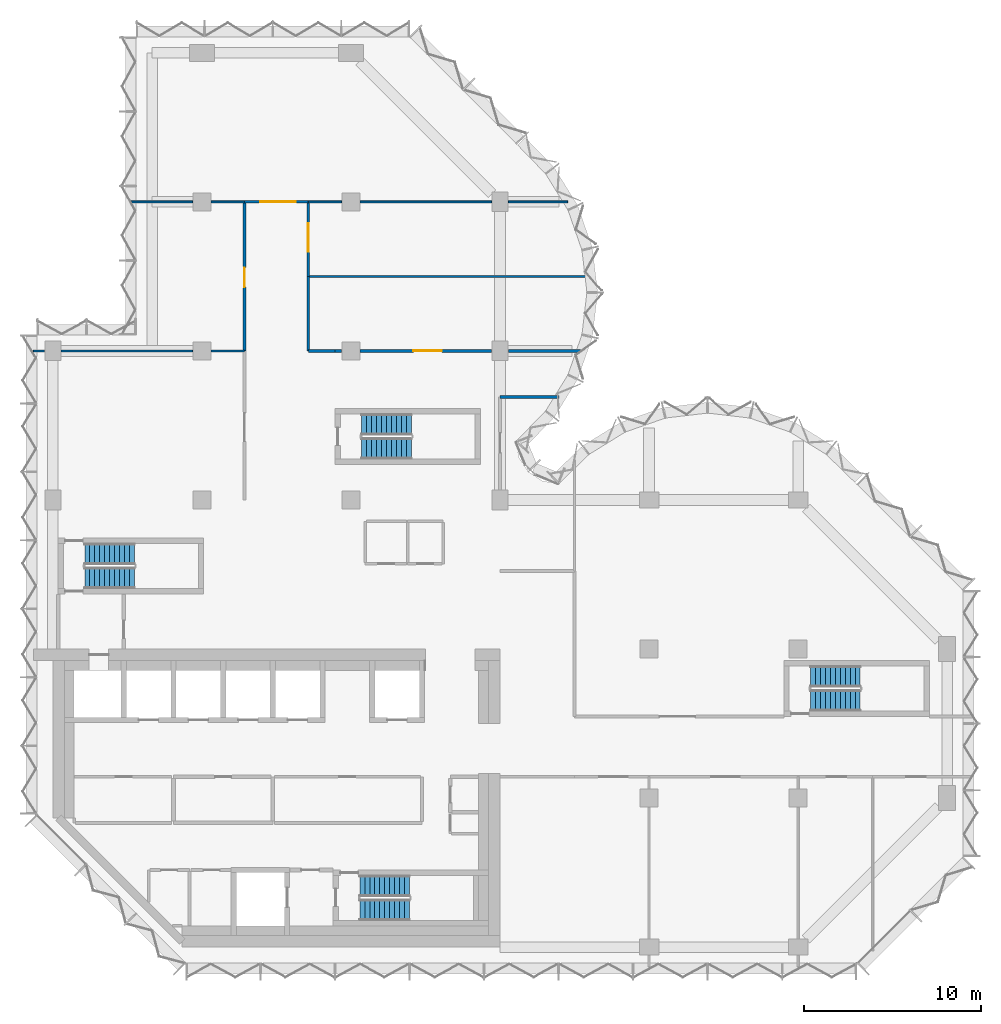
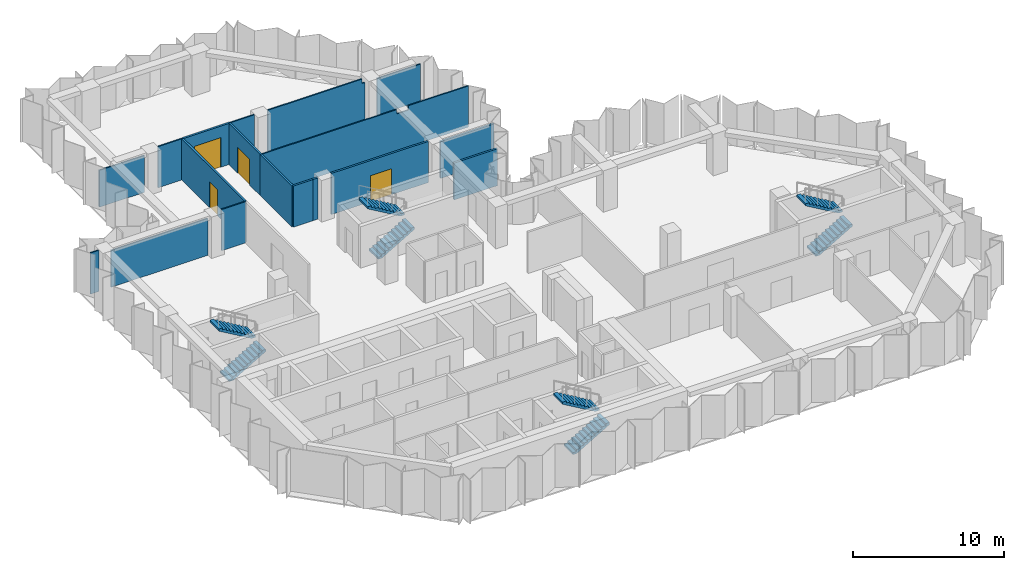
# One storey, part 7 of 9: 18 walls, 8 stair flights, 4 doors, 4 openings, 4 elements without a shape of their own.
"""IFC4 building model written with IfcOpenShell, lengths in metres."""

from ifc_helpers import new_model, si_unit, direction, frame, frame_2d, origin, place, context, subcontext, project, spatial, polyline, rectangle, outline, extrude, material, layer, layer_set, type_object, element, fill, aggregate, save


model = new_model("IFC4")

# Units and contexts
model_context = context("Model", 3, precision=1e-05, world=origin(), true_north=direction((0.0, 1.0)))
body_context = subcontext(model_context, "Body", "Model", "MODEL_VIEW")
ifc_project = project(units=[si_unit("LENGTHUNIT", "METRE"), si_unit("AREAUNIT", "SQUARE_METRE"), si_unit("VOLUMEUNIT", "CUBIC_METRE"), si_unit("PLANEANGLEUNIT", "RADIAN"), si_unit("MASSUNIT", "GRAM", prefix="KILO")], contexts=[model_context])

# Site, building, storey
site_placement = place(None, origin())
site = spatial("IfcSite", under=ifc_project, at=site_placement, CompositionType="ELEMENT")
building_placement = place(site_placement, origin())
building = spatial("IfcBuilding", under=site, at=building_placement, Name="Brevane Broadcast Tower", CompositionType="ELEMENT")
storey_placement = place(building_placement, frame((0.0, 0.0, 192.0)))
storey = spatial("IfcBuildingStorey", under=building, at=storey_placement, Name="L48", CompositionType="ELEMENT", Elevation=192.0)

# Walls
ifc_material_1 = material(Name="Gypsum board partition")
ifc_layer_1 = layer(ifc_material_1, 0.10009765625)
ifc_layer_set_1 = layer_set([ifc_layer_1], Name="PARTITION 100 STUD")
wall_type_1 = type_object("IfcWallType", Name="PARTITION 100 STUD", PredefinedType="PARTITIONING", material=ifc_layer_set_1)
wall_1_placement = place(storey_placement, frame((10.800048828125, 42.0, 0.0), z_axis=(0.0, 0.0, 1.0), x_axis=(-1.0, 0.0, 0.0)))
element("IfcWall", 1, at=wall_1_placement, inside=storey, type_object=wall_type_1, Name="Partition G14-029", PredefinedType="PARTITIONING", context=body_context, shape_type="SweptSolid", body=[
    extrude(rectangle(XDim=1.880126953125, YDim=0.10009765625, at=frame_2d((0.93994140625, 0.0))), origin(), (0.0, 0.0, 1.0), 3.330078125),
])
wall_2_placement = place(storey_placement, frame((7.8798828125, 42.0, 0.0), z_axis=(0.0, 0.0, 1.0), x_axis=(-1.0, 0.0, 0.0)))
element("IfcWall", 2, at=wall_2_placement, inside=storey, type_object=wall_type_1, Name="Partition G14-030", PredefinedType="PARTITIONING", context=body_context, shape_type="SweptSolid", body=[
    extrude(rectangle(XDim=3.453857421875, YDim=0.10009765625, at=frame_2d((1.72705078125, 0.0))), origin(), (0.0, 0.0, 1.0), 2.97998046875),
])
wall_3_placement = place(storey_placement, frame((29.011474609375, 42.0, 0.0), z_axis=(0.0, 0.0, 1.0), x_axis=(-1.0, 0.0, 0.0)))
element("IfcWall", 3, at=wall_3_placement, inside=storey, type_object=wall_type_1, Name="Partition G14-031", PredefinedType="PARTITIONING", context=body_context, shape_type="SweptSolid", body=[
    extrude(rectangle(XDim=3.341552734375, YDim=0.10009765625, at=frame_2d((1.6708984375, 0.0))), origin(), (0.0, 0.0, 1.0), 2.97998046875),
])
wall_4_placement = place(storey_placement, frame((24.72998046875, 42.0, 0.0), z_axis=(0.0, 0.0, 1.0), x_axis=(-1.0, 0.0, 0.0)))
element("IfcWall", 4, at=wall_4_placement, inside=storey, type_object=wall_type_1, Name="Partition G14-032", PredefinedType="PARTITIONING", context=body_context, shape_type="SweptSolid", body=[
    extrude(outline(polyline([(0.0, 0.0), (7.409912109375, 0.0), (7.409912109375, 3.330078125), (0.19580078125, 3.330078125), (0.193603515625, 2.97998046875), (0.0, 2.97998046875), (0.0, 0.0)])), frame((0.0, 0.050048828125, 0.0), z_axis=(0.0, -1.0, 0.0), x_axis=(1.0, 0.0, 0.0)), (0.0, 0.0, 1.0), 0.10009765625),
])
wall_5_placement = place(storey_placement, frame((16.280029296875, 42.0, 0.0), z_axis=(0.0, 0.0, 1.0), x_axis=(-1.0, 0.0, 0.0)))
element("IfcWall", 5, at=wall_5_placement, inside=storey, type_object=wall_type_1, Name="Partition G14-033", PredefinedType="PARTITIONING", context=body_context, shape_type="SweptSolid", body=[
    extrude(rectangle(XDim=1.880126953125, YDim=0.10009765625, at=frame_2d((0.93994140625, 0.0))), origin(), (0.0, 0.0, 1.0), 3.330078125),
])
wall_6_placement = place(storey_placement, frame((-1.10009765625, 33.60009765625, 0.0), z_axis=(0.0, 0.0, 1.0), x_axis=(1.0, 0.0, 0.0)))
element("IfcWall", 6, at=wall_6_placement, inside=storey, type_object=wall_type_1, Name="Partition G14-034", PredefinedType="PARTITIONING", context=body_context, shape_type="SweptSolid", body=[
    extrude(rectangle(XDim=0.630126953125, YDim=0.10009765625, at=frame_2d((0.31494140625, 0.0))), origin(), (0.0, 0.0, 1.0), 3.330078125),
])
wall_7_placement = place(storey_placement, frame((0.469970703125, 33.60009765625, 0.0), z_axis=(0.0, 0.0, 1.0), x_axis=(1.0, 0.0, 0.0)))
element("IfcWall", 7, at=wall_7_placement, inside=storey, type_object=wall_type_1, Name="Partition G14-035", PredefinedType="PARTITIONING", context=body_context, shape_type="SweptSolid", body=[
    extrude(outline(polyline([(0.0, 0.0), (7.409912109375, 0.0), (7.409912109375, 2.97998046875), (0.0, 2.97998046875), (0.0, 0.0)])), frame((0.0, 0.050048828125, 0.0), z_axis=(0.0, -1.0, 0.0), x_axis=(1.0, 0.0, 0.0)), (0.0, 0.0, 1.0), 0.10009765625),
])
wall_8_placement = place(storey_placement, frame((8.919921875, 33.60009765625, 0.0), z_axis=(0.0, 0.0, 1.0), x_axis=(1.0, 0.0, 0.0)))
element("IfcWall", 8, at=wall_8_placement, inside=storey, type_object=wall_type_1, Name="Partition G14-036", PredefinedType="PARTITIONING", context=body_context, shape_type="SweptSolid", body=[
    extrude(rectangle(XDim=1.880126953125, YDim=0.10009765625, at=frame_2d((0.93994140625, 0.0))), origin(), (0.0, 0.0, 1.0), 3.330078125),
])
wall_9_placement = place(storey_placement, frame((14.39990234375, 37.800048828125, 0.0), z_axis=(0.0, 0.0, 1.0), x_axis=(1.0, 0.0, 0.0)))
element("IfcWall", 9, at=wall_9_placement, inside=storey, type_object=wall_type_1, Name="Partition G14-037", PredefinedType="PARTITIONING", context=body_context, shape_type="SweptSolid", body=[
    extrude(outline(polyline([(0.0, 0.0), (15.8427734375, 0.0), (15.8427734375, 3.330078125), (11.25, 3.330078125), (11.248046875, 2.97998046875), (10.35205078125, 2.97998046875), (10.35009765625, 3.330078125), (0.0, 3.330078125), (0.0, 0.0)])), frame((0.0, 0.050048828125, 0.0), z_axis=(0.0, -1.0, 0.0), x_axis=(1.0, 0.0, 0.0)), (0.0, 0.0, 1.0), 0.10009765625),
])
ifc_layer_2 = layer(ifc_material_1, 0.14990234375)
ifc_layer_set_2 = layer_set([ifc_layer_2], Name="PARTITION 150 EI 60")
wall_type_2 = type_object("IfcWallType", Name="PARTITION 150 EI 60", PredefinedType="PARTITIONING", material=ifc_layer_set_2)
wall_10_placement = place(storey_placement, frame((25.199951171875, 31.0, 0.0), z_axis=(0.0, 0.0, 1.0), x_axis=(1.0, 0.0, 0.0)))
element("IfcWall", 10, at=wall_10_placement, inside=storey, type_object=wall_type_2, Name="Partition G14-006", PredefinedType="PARTITIONING", context=body_context, shape_type="SweptSolid", body=[
    extrude(rectangle(XDim=3.32421875, YDim=0.14990234375, at=frame_2d((1.662109375, 0.0))), origin(), (0.0, 0.0, 1.0), 2.97998046875),
])
wall_11_placement = place(storey_placement, frame((14.39990234375, 33.60009765625, 0.0), z_axis=(0.0, 0.0, 1.0), x_axis=(1.0, 0.0, 0.0)))
element("IfcWall", 11, at=wall_11_placement, inside=storey, type_object=wall_type_2, Name="Partition G14-021", PredefinedType="PARTITIONING", context=body_context, shape_type="SweptSolid", body=[
    extrude(rectangle(XDim=1.5, YDim=0.14990234375, at=frame_2d((0.75, 0.0))), origin(), (0.0, 0.0, 1.0), 3.330078125),
])
wall_12_placement = place(storey_placement, frame((15.89990234375, 33.60009765625, 0.0), z_axis=(0.0, 0.0, 1.0), x_axis=(1.0, 0.0, 0.0)))
element("IfcWall", 12, at=wall_12_placement, inside=storey, type_object=wall_type_2, Name="Partition G14-022", PredefinedType="PARTITIONING", context=body_context, shape_type="SweptSolid", body=[
    extrude(rectangle(XDim=0.380126953125, YDim=0.14990234375, at=frame_2d((0.18994140625, 0.0))), origin(), (0.0, 0.0, 1.0), 3.330078125),
])

# Wall, opening, door
wall_13_placement = place(storey_placement, frame((17.320068359375, 33.60009765625, 0.0), z_axis=(0.0, 0.0, 1.0), x_axis=(1.0, 0.0, 0.0)))
wall_13 = element("IfcWall", 13, at=wall_13_placement, inside=storey, type_object=wall_type_2, Name="Partition G14-023", PredefinedType="PARTITIONING", context=body_context, shape_type="SweptSolid", body=[
    extrude(rectangle(XDim=7.409912109375, YDim=0.14990234375, at=frame_2d((3.705078125, 0.0))), origin(), (0.0, 0.0, 1.0), 3.330078125),
])
opening_1_placement = place(wall_13_placement, frame((3.0, 0.0, 0.0)))
opening_1 = element("IfcOpeningElement", 14, at=opening_1_placement, cuts=wall_13, Name="Opening D23-010", PredefinedType="OPENING", context=body_context, shape_type="SweptSolid", body=[
    extrude(rectangle(XDim=1.60009765625, YDim=2.10009765625, at=frame_2d((0.800048828125, 1.050048828125))), frame((0.0, 0.0849609375, 0.0), z_axis=(0.0, -1.0, 0.0), x_axis=(1.0, 0.0, 0.0)), (0.0, 0.0, 1.0), 0.169921875),
])
ifc_material_2 = material(Name="Fire-rated timber door leaf", Category="wood")
door_type_1 = type_object("IfcDoorType", Name="DOOR DOUBLE 1600 FD30S", OperationType="DOUBLE_DOOR_SINGLE_SWING", PredefinedType="DOOR", material=ifc_material_2)
door_1_placement = place(opening_1_placement, origin())
door_1 = element("IfcDoor", 15, at=door_1_placement, inside=storey, type_object=door_type_1, Name="Door D23-010", OperationType="DOUBLE_DOOR_SINGLE_SWING", OverallHeight=2.10009765625, OverallWidth=1.60009765625, PredefinedType="DOOR", context=body_context, shape_type="SweptSolid", body=[
    extrude(rectangle(XDim=1.60009765625, YDim=2.10009765625, at=frame_2d((0.800048828125, 1.050048828125))), frame((0.0, 0.02490234375, 0.0), z_axis=(0.0, -1.0, 0.0), x_axis=(1.0, 0.0, 0.0)), (0.0, 0.0, 1.0), 0.050048828125),
])
fill(opening_1, door_1)

# Wall
wall_14_placement = place(storey_placement, frame((25.669921875, 33.60009765625, 0.0), z_axis=(0.0, 0.0, 1.0), x_axis=(1.0, 0.0, 0.0)))
element("IfcWall", 16, at=wall_14_placement, inside=storey, type_object=wall_type_2, Name="Partition G14-024", PredefinedType="PARTITIONING", context=body_context, shape_type="SweptSolid", body=[
    extrude(rectangle(XDim=4.092041015625, YDim=0.14990234375, at=frame_2d((2.0458984375, 0.0))), origin(), (0.0, 0.0, 1.0), 2.97998046875),
])

# Wall, opening, door
wall_15_placement = place(storey_placement, frame((10.800048828125, 42.0, 0.0), z_axis=(0.0, 0.0, 1.0), x_axis=(1.0, 0.0, 0.0)))
wall_15 = element("IfcWall", 17, at=wall_15_placement, inside=storey, type_object=wall_type_2, Name="Partition G14-025", PredefinedType="PARTITIONING", context=body_context, shape_type="SweptSolid", body=[
    extrude(rectangle(XDim=3.599853515625, YDim=0.14990234375, at=frame_2d((1.7998046875, 0.0))), origin(), (0.0, 0.0, 1.0), 3.330078125),
])
opening_2_placement = place(wall_15_placement, frame((0.89990234375, 0.0, 0.0)))
opening_2 = element("IfcOpeningElement", 18, at=opening_2_placement, cuts=wall_15, Name="Opening D23-007", PredefinedType="OPENING", context=body_context, shape_type="SweptSolid", body=[
    extrude(rectangle(XDim=2.0, YDim=2.39990234375, at=frame_2d((1.0, 1.199951171875))), frame((0.0, 0.0849609375, 0.0), z_axis=(0.0, -1.0, 0.0), x_axis=(1.0, 0.0, 0.0)), (0.0, 0.0, 1.0), 0.169921875),
])
door_type_2 = type_object("IfcDoorType", Name="DOOR DOUBLE 2000 FD30S", OperationType="DOUBLE_DOOR_SINGLE_SWING", PredefinedType="DOOR", material=ifc_material_2)
door_2_placement = place(opening_2_placement, origin())
door_2 = element("IfcDoor", 19, at=door_2_placement, inside=storey, type_object=door_type_2, Name="Door D23-007", OperationType="DOUBLE_DOOR_SINGLE_SWING", OverallHeight=2.39990234375, OverallWidth=2.0, PredefinedType="DOOR", context=body_context, shape_type="SweptSolid", body=[
    extrude(rectangle(XDim=2.0, YDim=2.39990234375, at=frame_2d((1.0, 1.199951171875))), frame((0.0, 0.02490234375, 0.0), z_axis=(0.0, -1.0, 0.0), x_axis=(1.0, 0.0, 0.0)), (0.0, 0.0, 1.0), 0.050048828125),
])
fill(opening_2, door_2)

wall_16_placement = place(storey_placement, frame((10.800048828125, 33.60009765625, 0.0), z_axis=(0.0, 0.0, 1.0), x_axis=(0.0, 1.0, 0.0)))
wall_16 = element("IfcWall", 20, at=wall_16_placement, inside=storey, type_object=wall_type_2, Name="Partition G14-026", PredefinedType="PARTITIONING", context=body_context, shape_type="SweptSolid", body=[
    extrude(rectangle(XDim=8.39990234375, YDim=0.14990234375, at=frame_2d((4.199951171875, 0.0))), origin(), (0.0, 0.0, 1.0), 3.330078125),
])
opening_3_placement = place(wall_16_placement, frame((3.60009765625, 0.0, 0.0)))
opening_3 = element("IfcOpeningElement", 21, at=opening_3_placement, cuts=wall_16, Name="Opening D23-009", PredefinedType="OPENING", context=body_context, shape_type="SweptSolid", body=[
    extrude(rectangle(XDim=1.10009765625, YDim=2.10009765625, at=frame_2d((0.550048828125, 1.050048828125))), frame((0.0, 0.0849609375, 0.0), z_axis=(0.0, -1.0, 0.0), x_axis=(1.0, 0.0, 0.0)), (0.0, 0.0, 1.0), 0.169921875),
])
door_type_3 = type_object("IfcDoorType", Name="DOOR SINGLE 1100 FD30S", OperationType="SINGLE_SWING_LEFT", PredefinedType="DOOR", material=ifc_material_2)
door_3_placement = place(opening_3_placement, origin())
door_3 = element("IfcDoor", 22, at=door_3_placement, inside=storey, type_object=door_type_3, Name="Door D23-009", OperationType="SINGLE_SWING_LEFT", OverallHeight=2.10009765625, OverallWidth=1.10009765625, PredefinedType="DOOR", context=body_context, shape_type="SweptSolid", body=[
    extrude(rectangle(XDim=1.10009765625, YDim=2.10009765625, at=frame_2d((0.550048828125, 1.050048828125))), frame((0.0, 0.02490234375, 0.0), z_axis=(0.0, -1.0, 0.0), x_axis=(1.0, 0.0, 0.0)), (0.0, 0.0, 1.0), 0.050048828125),
])
fill(opening_3, door_3)

# Wall
wall_17_placement = place(storey_placement, frame((14.39990234375, 37.800048828125, 0.0), z_axis=(0.0, 0.0, 1.0), x_axis=(0.0, -1.0, 0.0)))
element("IfcWall", 23, at=wall_17_placement, inside=storey, type_object=wall_type_2, Name="Partition G14-027", PredefinedType="PARTITIONING", context=body_context, shape_type="SweptSolid", body=[
    extrude(rectangle(XDim=4.199951171875, YDim=0.14990234375, at=frame_2d((2.10009765625, 0.0))), origin(), (0.0, 0.0, 1.0), 3.330078125),
])

# Wall, opening, door
wall_18_placement = place(storey_placement, frame((14.39990234375, 42.0, 0.0), z_axis=(0.0, 0.0, 1.0), x_axis=(0.0, -1.0, 0.0)))
wall_18 = element("IfcWall", 24, at=wall_18_placement, inside=storey, type_object=wall_type_2, Name="Partition G14-028", PredefinedType="PARTITIONING", context=body_context, shape_type="SweptSolid", body=[
    extrude(rectangle(XDim=4.199951171875, YDim=0.14990234375, at=frame_2d((2.10009765625, 0.0))), origin(), (0.0, 0.0, 1.0), 3.330078125),
])
opening_4_placement = place(wall_18_placement, frame((1.199951171875, 0.0, 0.0)))
opening_4 = element("IfcOpeningElement", 25, at=opening_4_placement, cuts=wall_18, Name="Opening D23-011", PredefinedType="OPENING", context=body_context, shape_type="SweptSolid", body=[
    extrude(rectangle(XDim=1.60009765625, YDim=2.10009765625, at=frame_2d((0.800048828125, 1.050048828125))), frame((0.0, 0.0849609375, 0.0), z_axis=(0.0, -1.0, 0.0), x_axis=(1.0, 0.0, 0.0)), (0.0, 0.0, 1.0), 0.169921875),
])
door_4_placement = place(opening_4_placement, origin())
door_4 = element("IfcDoor", 26, at=door_4_placement, inside=storey, type_object=door_type_1, Name="Door D23-011", OperationType="DOUBLE_DOOR_SINGLE_SWING", OverallHeight=2.10009765625, OverallWidth=1.60009765625, PredefinedType="DOOR", context=body_context, shape_type="SweptSolid", body=[
    extrude(rectangle(XDim=1.60009765625, YDim=2.10009765625, at=frame_2d((0.800048828125, 1.050048828125))), frame((0.0, 0.02490234375, 0.0), z_axis=(0.0, -1.0, 0.0), x_axis=(1.0, 0.0, 0.0)), (0.0, 0.0, 1.0), 0.050048828125),
])
fill(opening_4, door_4)

# Stair, stair flights
ifc_material_3 = material(Name="Concrete C50/60", Category="concrete")
stair_type = type_object("IfcStairType", Name="Exit stair 22 risers", PredefinedType="HALF_TURN_STAIR", material=ifc_material_3)
stair_1_placement = place(storey_placement, origin())
stair_1 = element("IfcStair", 27, at=stair_1_placement, inside=storey, type_object=stair_type, Name="L48 Exit stair ST-1", PredefinedType="HALF_TURN_STAIR")
stair_flight_type = type_object("IfcStairFlightType", Name="Exit stair flight 22 risers", PredefinedType="STRAIGHT", material=ifc_material_3)
stair_flight_1_placement = place(storey_placement, frame((1.800048828125, 20.800048828125, 0.0), z_axis=(0.0, 0.0, 1.0), x_axis=(1.0, 0.0, 0.0)))
stair_flight_1 = element("IfcStairFlight", 28, at=stair_flight_1_placement, type_object=stair_flight_type, Name="ST-1 flight 1", NumberOfRisers=11, NumberOfTreads=10, PredefinedType="STRAIGHT", RiserHeight=0.163636364, TreadLength=0.28, context=body_context, shape_type="SweptSolid", body=[
    extrude(outline(polyline([(0.0, 0.0), (0.0, 0.16357421875), (0.280029296875, 0.16357421875), (0.280029296875, 0.327392578125), (0.56005859375, 0.327392578125), (0.56005859375, 0.490966796875), (0.840087890625, 0.490966796875), (0.840087890625, 0.654541015625), (1.1201171875, 0.654541015625), (1.1201171875, 0.818115234375), (1.39990234375, 0.818115234375), (1.39990234375, 0.98193359375), (1.679931640625, 0.98193359375), (1.679931640625, 1.1455078125), (1.9599609375, 1.1455078125), (1.9599609375, 1.30908203125), (2.239990234375, 1.30908203125), (2.239990234375, 1.47265625), (2.52001953125, 1.47265625), (2.52001953125, 1.636474609375), (2.800048828125, 1.636474609375), (2.800048828125, 1.800048828125), (2.800048828125, 1.462646484375), (0.297119140625, 0.0), (0.0, 0.0)])), frame((0.0, 0.60009765625, 0.0), z_axis=(0.0, -1.0, 0.0), x_axis=(1.0, 0.0, 0.0)), (0.0, 0.0, 1.0), 1.199951171875),
])
stair_flight_2_placement = place(storey_placement, frame((4.60009765625, 22.14990234375, 1.800048828125), z_axis=(0.0, 0.0, 1.0), x_axis=(-1.0, 0.0, 0.0)))
stair_flight_2 = element("IfcStairFlight", 29, at=stair_flight_2_placement, type_object=stair_flight_type, Name="ST-1 flight 2", NumberOfRisers=11, NumberOfTreads=10, PredefinedType="STRAIGHT", RiserHeight=0.163636364, TreadLength=0.28, context=body_context, shape_type="SweptSolid", body=[
    extrude(outline(polyline([(0.0, 0.0), (0.0, 0.16357421875), (0.280029296875, 0.16357421875), (0.280029296875, 0.327392578125), (0.56005859375, 0.327392578125), (0.56005859375, 0.490966796875), (0.840087890625, 0.490966796875), (0.840087890625, 0.654541015625), (1.1201171875, 0.654541015625), (1.1201171875, 0.818115234375), (1.39990234375, 0.818115234375), (1.39990234375, 0.98193359375), (1.679931640625, 0.98193359375), (1.679931640625, 1.1455078125), (1.9599609375, 1.1455078125), (1.9599609375, 1.30908203125), (2.239990234375, 1.30908203125), (2.239990234375, 1.47265625), (2.52001953125, 1.47265625), (2.52001953125, 1.636474609375), (2.800048828125, 1.636474609375), (2.800048828125, 1.800048828125), (2.800048828125, 1.462646484375), (0.297119140625, 0.0), (0.0, 0.0)])), frame((0.0, 0.60009765625, 0.0), z_axis=(0.0, -1.0, 0.0), x_axis=(1.0, 0.0, 0.0)), (0.0, 0.0, 1.0), 1.199951171875),
])
aggregate(stair_1, [stair_flight_1, stair_flight_2])

stair_2_placement = place(storey_placement, origin())
stair_2 = element("IfcStair", 30, at=stair_2_placement, inside=storey, type_object=stair_type, Name="L48 Exit stair ST-2", PredefinedType="HALF_TURN_STAIR")
stair_flight_3_placement = place(storey_placement, frame((17.300048828125, 2.10009765625, 0.0), z_axis=(0.0, 0.0, 1.0), x_axis=(1.0, 0.0, 0.0)))
stair_flight_3 = element("IfcStairFlight", 31, at=stair_flight_3_placement, type_object=stair_flight_type, Name="ST-2 flight 1", NumberOfRisers=11, NumberOfTreads=10, PredefinedType="STRAIGHT", RiserHeight=0.163636364, TreadLength=0.28, context=body_context, shape_type="SweptSolid", body=[
    extrude(outline(polyline([(0.0, 0.0), (0.0, 0.16357421875), (0.280029296875, 0.16357421875), (0.280029296875, 0.327392578125), (0.56005859375, 0.327392578125), (0.56005859375, 0.490966796875), (0.840087890625, 0.490966796875), (0.840087890625, 0.654541015625), (1.1201171875, 0.654541015625), (1.1201171875, 0.818115234375), (1.39990234375, 0.818115234375), (1.39990234375, 0.98193359375), (1.679931640625, 0.98193359375), (1.679931640625, 1.1455078125), (1.9599609375, 1.1455078125), (1.9599609375, 1.30908203125), (2.239990234375, 1.30908203125), (2.239990234375, 1.47265625), (2.52001953125, 1.47265625), (2.52001953125, 1.636474609375), (2.800048828125, 1.636474609375), (2.800048828125, 1.800048828125), (2.800048828125, 1.462646484375), (0.297119140625, 0.0), (0.0, 0.0)])), frame((0.0, 0.60009765625, 0.0), z_axis=(0.0, -1.0, 0.0), x_axis=(1.0, 0.0, 0.0)), (0.0, 0.0, 1.0), 1.199951171875),
])
stair_flight_4_placement = place(storey_placement, frame((20.10009765625, 3.449951171875, 1.800048828125), z_axis=(0.0, 0.0, 1.0), x_axis=(-1.0, 0.0, 0.0)))
stair_flight_4 = element("IfcStairFlight", 32, at=stair_flight_4_placement, type_object=stair_flight_type, Name="ST-2 flight 2", NumberOfRisers=11, NumberOfTreads=10, PredefinedType="STRAIGHT", RiserHeight=0.163636364, TreadLength=0.28, context=body_context, shape_type="SweptSolid", body=[
    extrude(outline(polyline([(0.0, 0.0), (0.0, 0.16357421875), (0.280029296875, 0.16357421875), (0.280029296875, 0.327392578125), (0.56005859375, 0.327392578125), (0.56005859375, 0.490966796875), (0.840087890625, 0.490966796875), (0.840087890625, 0.654541015625), (1.1201171875, 0.654541015625), (1.1201171875, 0.818115234375), (1.39990234375, 0.818115234375), (1.39990234375, 0.98193359375), (1.679931640625, 0.98193359375), (1.679931640625, 1.1455078125), (1.9599609375, 1.1455078125), (1.9599609375, 1.30908203125), (2.239990234375, 1.30908203125), (2.239990234375, 1.47265625), (2.52001953125, 1.47265625), (2.52001953125, 1.636474609375), (2.800048828125, 1.636474609375), (2.800048828125, 1.800048828125), (2.800048828125, 1.462646484375), (0.297119140625, 0.0), (0.0, 0.0)])), frame((0.0, 0.60009765625, 0.0), z_axis=(0.0, -1.0, 0.0), x_axis=(1.0, 0.0, 0.0)), (0.0, 0.0, 1.0), 1.199951171875),
])
aggregate(stair_2, [stair_flight_3, stair_flight_4])

stair_3_placement = place(storey_placement, origin())
stair_3 = element("IfcStair", 33, at=stair_3_placement, inside=storey, type_object=stair_type, Name="L48 Exit stair ST-3", PredefinedType="HALF_TURN_STAIR")
stair_flight_5_placement = place(storey_placement, frame((17.39990234375, 28.10009765625, 0.0), z_axis=(0.0, 0.0, 1.0), x_axis=(1.0, 0.0, 0.0)))
stair_flight_5 = element("IfcStairFlight", 34, at=stair_flight_5_placement, type_object=stair_flight_type, Name="ST-3 flight 1", NumberOfRisers=11, NumberOfTreads=10, PredefinedType="STRAIGHT", RiserHeight=0.163636364, TreadLength=0.28, context=body_context, shape_type="SweptSolid", body=[
    extrude(outline(polyline([(0.0, 0.0), (0.0, 0.16357421875), (0.280029296875, 0.16357421875), (0.280029296875, 0.327392578125), (0.56005859375, 0.327392578125), (0.56005859375, 0.490966796875), (0.840087890625, 0.490966796875), (0.840087890625, 0.654541015625), (1.1201171875, 0.654541015625), (1.1201171875, 0.818115234375), (1.39990234375, 0.818115234375), (1.39990234375, 0.98193359375), (1.679931640625, 0.98193359375), (1.679931640625, 1.1455078125), (1.9599609375, 1.1455078125), (1.9599609375, 1.30908203125), (2.239990234375, 1.30908203125), (2.239990234375, 1.47265625), (2.52001953125, 1.47265625), (2.52001953125, 1.636474609375), (2.800048828125, 1.636474609375), (2.800048828125, 1.800048828125), (2.800048828125, 1.462646484375), (0.297119140625, 0.0), (0.0, 0.0)])), frame((0.0, 0.60009765625, 0.0), z_axis=(0.0, -1.0, 0.0), x_axis=(1.0, 0.0, 0.0)), (0.0, 0.0, 1.0), 1.199951171875),
])
stair_flight_6_placement = place(storey_placement, frame((20.199951171875, 29.449951171875, 1.800048828125), z_axis=(0.0, 0.0, 1.0), x_axis=(-1.0, 0.0, 0.0)))
stair_flight_6 = element("IfcStairFlight", 35, at=stair_flight_6_placement, type_object=stair_flight_type, Name="ST-3 flight 2", NumberOfRisers=11, NumberOfTreads=10, PredefinedType="STRAIGHT", RiserHeight=0.163636364, TreadLength=0.28, context=body_context, shape_type="SweptSolid", body=[
    extrude(outline(polyline([(0.0, 0.0), (0.0, 0.16357421875), (0.280029296875, 0.16357421875), (0.280029296875, 0.327392578125), (0.56005859375, 0.327392578125), (0.56005859375, 0.490966796875), (0.840087890625, 0.490966796875), (0.840087890625, 0.654541015625), (1.1201171875, 0.654541015625), (1.1201171875, 0.818115234375), (1.39990234375, 0.818115234375), (1.39990234375, 0.98193359375), (1.679931640625, 0.98193359375), (1.679931640625, 1.1455078125), (1.9599609375, 1.1455078125), (1.9599609375, 1.30908203125), (2.239990234375, 1.30908203125), (2.239990234375, 1.47265625), (2.52001953125, 1.47265625), (2.52001953125, 1.636474609375), (2.800048828125, 1.636474609375), (2.800048828125, 1.800048828125), (2.800048828125, 1.462646484375), (0.297119140625, 0.0), (0.0, 0.0)])), frame((0.0, 0.60009765625, 0.0), z_axis=(0.0, -1.0, 0.0), x_axis=(1.0, 0.0, 0.0)), (0.0, 0.0, 1.0), 1.199951171875),
])
aggregate(stair_3, [stair_flight_5, stair_flight_6])

stair_4_placement = place(storey_placement, origin())
stair_4 = element("IfcStair", 36, at=stair_4_placement, inside=storey, type_object=stair_type, Name="L48 Exit stair ST-4", PredefinedType="HALF_TURN_STAIR")
stair_flight_7_placement = place(storey_placement, frame((42.699951171875, 13.89990234375, 0.0), z_axis=(0.0, 0.0, 1.0), x_axis=(1.0, 0.0, 0.0)))
stair_flight_7 = element("IfcStairFlight", 37, at=stair_flight_7_placement, type_object=stair_flight_type, Name="ST-4 flight 1", NumberOfRisers=11, NumberOfTreads=10, PredefinedType="STRAIGHT", RiserHeight=0.163636364, TreadLength=0.28, context=body_context, shape_type="SweptSolid", body=[
    extrude(outline(polyline([(0.0, 0.0), (0.0, 0.16357421875), (0.280029296875, 0.16357421875), (0.280029296875, 0.327392578125), (0.56005859375, 0.327392578125), (0.56005859375, 0.490966796875), (0.840087890625, 0.490966796875), (0.840087890625, 0.654541015625), (1.1201171875, 0.654541015625), (1.1201171875, 0.818115234375), (1.39990234375, 0.818115234375), (1.39990234375, 0.98193359375), (1.679931640625, 0.98193359375), (1.679931640625, 1.1455078125), (1.9599609375, 1.1455078125), (1.9599609375, 1.30908203125), (2.239990234375, 1.30908203125), (2.239990234375, 1.47265625), (2.52001953125, 1.47265625), (2.52001953125, 1.636474609375), (2.800048828125, 1.636474609375), (2.800048828125, 1.800048828125), (2.800048828125, 1.462646484375), (0.297119140625, 0.0), (0.0, 0.0)])), frame((0.0, 0.60009765625, 0.0), z_axis=(0.0, -1.0, 0.0), x_axis=(1.0, 0.0, 0.0)), (0.0, 0.0, 1.0), 1.199951171875),
])
stair_flight_8_placement = place(storey_placement, frame((45.5, 15.25, 1.800048828125), z_axis=(0.0, 0.0, 1.0), x_axis=(-1.0, 0.0, 0.0)))
stair_flight_8 = element("IfcStairFlight", 38, at=stair_flight_8_placement, type_object=stair_flight_type, Name="ST-4 flight 2", NumberOfRisers=11, NumberOfTreads=10, PredefinedType="STRAIGHT", RiserHeight=0.163636364, TreadLength=0.28, context=body_context, shape_type="SweptSolid", body=[
    extrude(outline(polyline([(0.0, 0.0), (0.0, 0.16357421875), (0.280029296875, 0.16357421875), (0.280029296875, 0.327392578125), (0.56005859375, 0.327392578125), (0.56005859375, 0.490966796875), (0.840087890625, 0.490966796875), (0.840087890625, 0.654541015625), (1.1201171875, 0.654541015625), (1.1201171875, 0.818115234375), (1.39990234375, 0.818115234375), (1.39990234375, 0.98193359375), (1.679931640625, 0.98193359375), (1.679931640625, 1.1455078125), (1.9599609375, 1.1455078125), (1.9599609375, 1.30908203125), (2.239990234375, 1.30908203125), (2.239990234375, 1.47265625), (2.52001953125, 1.47265625), (2.52001953125, 1.636474609375), (2.800048828125, 1.636474609375), (2.800048828125, 1.800048828125), (2.800048828125, 1.462646484375), (0.297119140625, 0.0), (0.0, 0.0)])), frame((0.0, 0.60009765625, 0.0), z_axis=(0.0, -1.0, 0.0), x_axis=(1.0, 0.0, 0.0)), (0.0, 0.0, 1.0), 1.199951171875),
])
aggregate(stair_4, [stair_flight_7, stair_flight_8])

save(model, "model.ifc")
